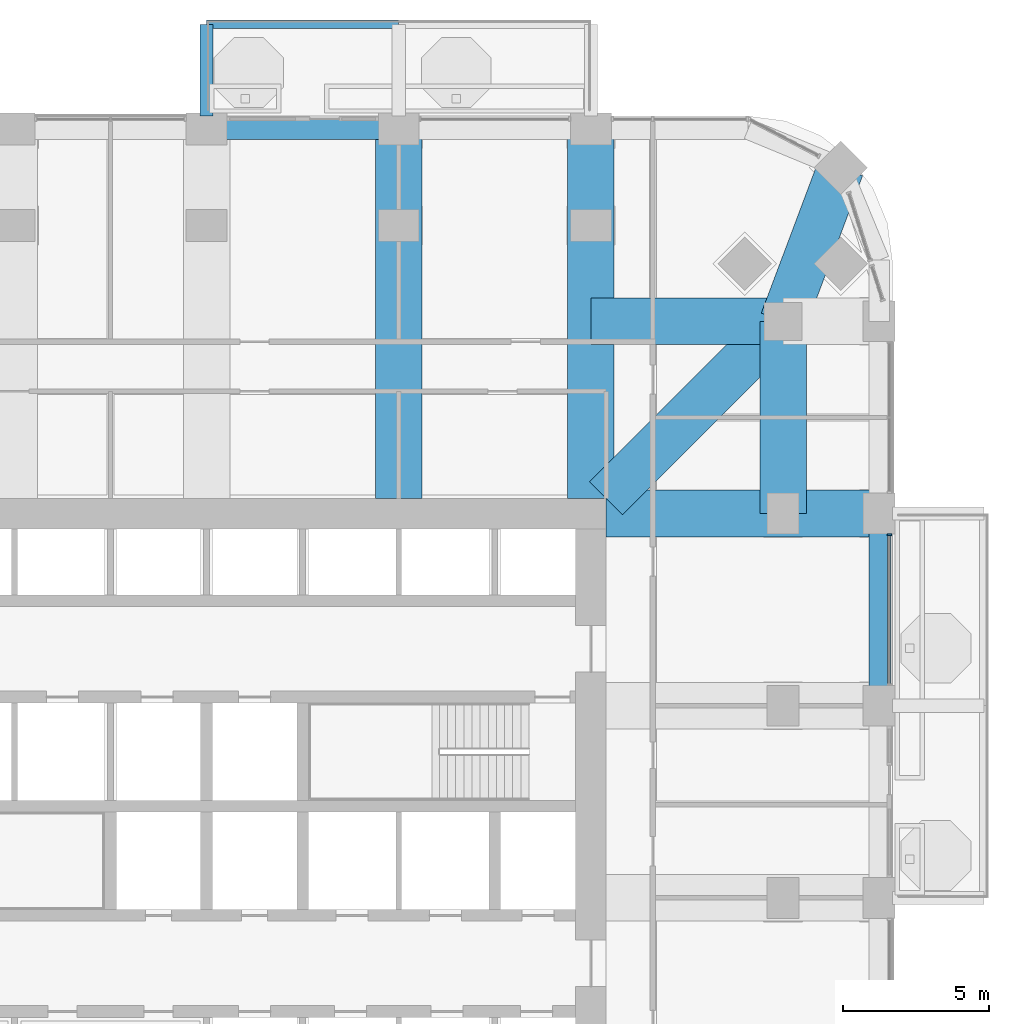
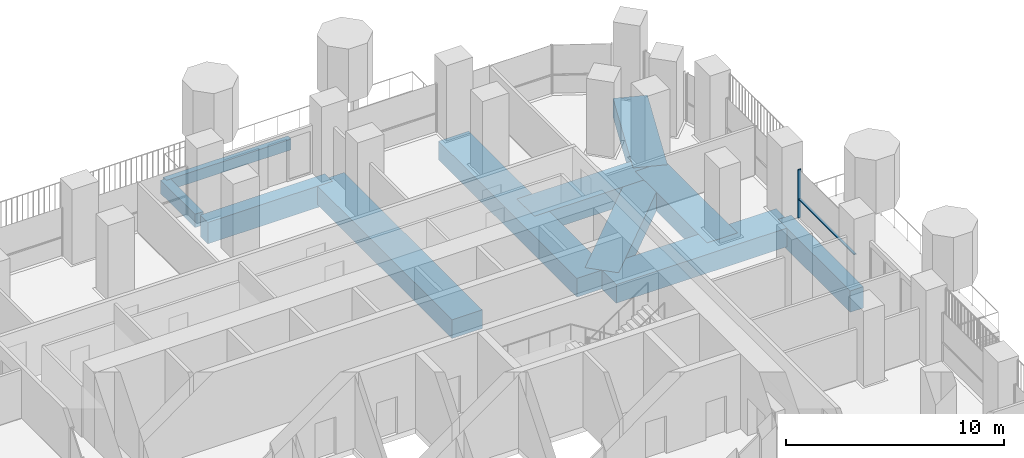
# One storey, part 7 of 23: 11 beams, 2 members, 1 element without a shape of its own.
"""IFC4 building model written with IfcOpenShell, lengths in metres."""

from ifc_helpers import new_model, si_unit, direction, frame, origin, origin_2d, place, context, subcontext, project, spatial, rectangle, extrude, material, material_profile, profile_set, type_object, element, aggregate, save


model = new_model("IFC4")

# Units and contexts
model_context = context("Model", 3, precision=1e-05, world=origin(), true_north=direction((0.0, 1.0)))
body_context = subcontext(model_context, "Body", "Model", "MODEL_VIEW")
ifc_project = project(units=[si_unit("LENGTHUNIT", "METRE"), si_unit("AREAUNIT", "SQUARE_METRE"), si_unit("VOLUMEUNIT", "CUBIC_METRE"), si_unit("PLANEANGLEUNIT", "RADIAN"), si_unit("MASSUNIT", "GRAM", prefix="KILO")], contexts=[model_context])

# Site, building, storey
site_placement = place(None, origin())
site = spatial("IfcSite", under=ifc_project, at=site_placement, CompositionType="ELEMENT")
building_placement = place(site_placement, origin())
building = spatial("IfcBuilding", under=site, at=building_placement, Name="Cobogo Forest Laboratory Tower", CompositionType="ELEMENT")
storey_placement = place(building_placement, frame((0.0, 0.0, 128.39990234375)))
storey = spatial("IfcBuildingStorey", under=building, at=storey_placement, Name="L29", CompositionType="ELEMENT", Elevation=128.39990234375)

# Beams
ifc_material_1 = material(Name="Concrete HA-40 (C40/50)", Category="concrete")
ifc_material_profile_1 = material_profile(ifc_material_1, rectangle(XDim=0.449951171875, YDim=0.75, at=origin_2d()), Name="RC 450x750")
ifc_profile_set_1 = profile_set([ifc_material_profile_1], Name="Concrete HA-40 (C40/50)")
beam_type_1 = type_object("IfcBeamType", Name="Balcony cantilever beam 450x750", PredefinedType="BEAM", material=ifc_profile_set_1)
beam_1_placement = place(storey_placement, frame((26.39990234375, 46.64990234375, -0.625), z_axis=(0.0, 1.0, 0.0), x_axis=(-1.0, 0.0, 0.0)))
element("IfcBeam", 1, at=beam_1_placement, inside=storey, type_object=beam_type_1, Name="CB1 BAL-N1-C1 L29", PredefinedType="BEAM", context=body_context, shape_type="SweptSolid", body=[
    extrude(rectangle(XDim=0.449951171875, YDim=0.75, at=origin_2d()), origin(), (0.0, 0.0, 1.0), 3.150146484375),
])
ifc_material_profile_2 = material_profile(ifc_material_1, rectangle(XDim=0.300048828125, YDim=0.60009765625, at=origin_2d()), Name="RC 300x600")
ifc_profile_set_2 = profile_set([ifc_material_profile_2], Name="Concrete HA-40 (C40/50)")
beam_type_2 = type_object("IfcBeamType", Name="Balcony edge beam 300x600", PredefinedType="BEAM", material=ifc_profile_set_2)
beam_2_placement = place(storey_placement, frame((26.39990234375, 49.800048828125, -0.5498046875), z_axis=(1.0, 0.0, 0.0), x_axis=(0.0, 1.0, 0.0)))
element("IfcBeam", 2, at=beam_2_placement, inside=storey, type_object=beam_type_2, Name="BB1 BAL-N1-T1 L29", PredefinedType="BEAM", context=body_context, shape_type="SweptSolid", body=[
    extrude(rectangle(XDim=0.300048828125, YDim=0.60009765625, at=origin_2d()), origin(), (0.0, 0.0, 1.0), 6.60009765625),
])
ifc_material_2 = material(Name="Concrete HA-50 (C50/60)", Category="concrete")
ifc_material_profile_3 = material_profile(ifc_material_2, rectangle(XDim=1.60009765625, YDim=1.050048828125, at=origin_2d()), Name="RC 1600x1050")
ifc_profile_set_3 = profile_set([ifc_material_profile_3], Name="Concrete HA-50 (C50/60)")
beam_type_3 = type_object("IfcBeamType", Name="Laboratory floor wide beam 1600x1050", PredefinedType="BEAM", material=ifc_profile_set_3)
for number, where, z_axis, x_axis, name in (
    (3, (33.0, 33.52490234375, -0.824951171875), (0.0, 1.0, 0.0), (-1.0, 0.0, 0.0), "RB8 R-6-N L29"),
    (4, (39.60009765625, 33.52490234375, -0.824951171875), (0.0, 1.0, 0.0), (-1.0, 0.0, 0.0), "RB8 R-7-N L29"),
):
    element("IfcBeam", number, at=place(storey_placement, frame(where, z_axis=z_axis, x_axis=x_axis)), inside=storey, type_object=beam_type_3, Name=name, PredefinedType="BEAM", context=body_context, shape_type="SweptSolid", body=[
        extrude(rectangle(XDim=1.60009765625, YDim=1.050048828125, at=origin_2d()), origin(), (0.0, 0.0, 1.0), 12.675048828125),
    ])
beam_3_placement = place(storey_placement, frame((40.125, 33.0, -0.824951171875), z_axis=(1.0, 0.0, 0.0), x_axis=(0.0, 1.0, 0.0)))
element("IfcBeam", 5, at=beam_3_placement, inside=storey, type_object=beam_type_3, Name="RB8 R-F-E L29", PredefinedType="BEAM", context=body_context, shape_type="SweptSolid", body=[
    extrude(rectangle(XDim=1.60009765625, YDim=1.050048828125, at=origin_2d()), origin(), (0.0, 0.0, 1.0), 9.375),
])
beam_4_placement = place(storey_placement, frame((46.199951171875, 39.60009765625, -0.824951171875), z_axis=(0.0, -1.0, 0.0), x_axis=(1.0, 0.0, 0.0)))
element("IfcBeam", 6, at=beam_4_placement, inside=storey, type_object=beam_type_3, Name="RB8 G-NE-XC L29", PredefinedType="BEAM", context=body_context, shape_type="SweptSolid", body=[
    extrude(rectangle(XDim=1.60009765625, YDim=1.050048828125, at=origin_2d()), origin(), (0.0, 0.0, 1.0), 6.60009765625),
])
beam_5_placement = place(storey_placement, frame((46.199951171875, 39.60009765625, -0.824951171875), z_axis=(-1.0, 0.0, 0.0), x_axis=(0.0, -1.0, 0.0)))
element("IfcBeam", 7, at=beam_5_placement, inside=storey, type_object=beam_type_3, Name="RB8 G-NE-YC L29", PredefinedType="BEAM", context=body_context, shape_type="SweptSolid", body=[
    extrude(rectangle(XDim=1.60009765625, YDim=1.050048828125, at=origin_2d()), origin(), (0.0, 0.0, 1.0), 6.599853515625),
])
beam_6_placement = place(storey_placement, frame((48.181884765625, 44.882080078125, -0.824951171875), z_axis=(-0.351308391925, -0.936259800356, 0.0), x_axis=(0.936259800356, -0.351308391925, 0.0)))
element("IfcBeam", 8, at=beam_6_placement, inside=storey, type_object=beam_type_3, Name="RB8 G-NE-D1 L29", PredefinedType="BEAM", context=body_context, shape_type="SweptSolid", body=[
    extrude(rectangle(XDim=1.60009765625, YDim=1.050048828125, at=origin_2d()), origin(), (0.0, 0.0, 1.0), 5.6416015625),
])
beam_7_placement = place(storey_placement, frame((46.199951171875, 39.60009765625, -0.824951171875), z_axis=(-0.707092572697, -0.70712098939, 0.0), x_axis=(0.70712098939, -0.707092572697, 0.0)))
element("IfcBeam", 9, at=beam_7_placement, inside=storey, type_object=beam_type_3, Name="RB8 G-NE-D2 L29", PredefinedType="BEAM", context=body_context, shape_type="SweptSolid", body=[
    extrude(rectangle(XDim=1.60009765625, YDim=1.050048828125, at=origin_2d()), origin(), (0.0, 0.0, 1.0), 8.591552734375),
])

# Curtain wall, member
ifc_material_3 = material(Name="Aluminium curtain wall", Category="aluminium")
curtain_wall_type = type_object("IfcCurtainWallType", Name="CW-1 unitised curtain wall, clear glazing, laboratory floors zones A and B", PredefinedType="USERDEFINED", material=ifc_material_3)
curtain_wall_placement = place(storey_placement, origin())
curtain_wall = element("IfcCurtainWall", 10, at=curtain_wall_placement, inside=storey, type_object=curtain_wall_type, Name="Curtain wall 13 L29", ObjectType="UNITISED CURTAIN WALL", PredefinedType="USERDEFINED")
ifc_material_4 = material(Name="Aluminium mullion", Category="aluminium")
ifc_material_profile_4 = material_profile(ifc_material_4, rectangle(XDim=0.06005859375, YDim=0.159912109375, at=origin_2d()), Name="AL 60x160")
ifc_profile_set_4 = profile_set([ifc_material_profile_4], Name="Aluminium mullion")
member_type_1 = type_object("IfcMemberType", Name="MU-1 aluminium mullion 60x160", PredefinedType="MULLION", material=ifc_profile_set_4)
member_1_placement = place(storey_placement, frame((49.85009765625, 32.27001953125, 0.0), z_axis=(0.0, 0.0, 1.0), x_axis=(0.0, 1.0, 0.0)))
member_1 = element("IfcMember", 11, at=member_1_placement, type_object=member_type_1, Name="CW-1 mullion 2", PredefinedType="MULLION", context=body_context, shape_type="SweptSolid", body=[
    extrude(rectangle(XDim=0.06005859375, YDim=0.159912109375, at=origin_2d()), origin(), (0.0, 0.0, 1.0), 2.7001953125),
])

# Beams
ifc_material_profile_5 = material_profile(ifc_material_1, rectangle(XDim=0.699951171875, YDim=1.199951171875, at=origin_2d()), Name="RC 700x1200")
ifc_profile_set_5 = profile_set([ifc_material_profile_5], Name="Concrete HA-40 (C40/50)")
beam_type_4 = type_object("IfcBeamType", Name="Perimeter edge beam 700x1200", PredefinedType="BEAM", material=ifc_profile_set_5)
for number, where, z_axis, x_axis, name in (
    (12, (49.5, 26.39990234375, -0.89990234375), (0.0, 1.0, 0.0), (-1.0, 0.0, 0.0), "EB1 E-E4 L29"),
    (13, (26.39990234375, 46.199951171875, -0.89990234375), (1.0, 0.0, 0.0), (0.0, 1.0, 0.0), "EB1 E-N3 L29"),
):
    element("IfcBeam", number, at=place(storey_placement, frame(where, z_axis=z_axis, x_axis=x_axis)), inside=storey, type_object=beam_type_4, Name=name, PredefinedType="BEAM", context=body_context, shape_type="SweptSolid", body=[
        extrude(rectangle(XDim=0.699951171875, YDim=1.199951171875, at=origin_2d()), origin(), (0.0, 0.0, 1.0), 6.60009765625),
    ])

# Member
ifc_material_5 = material(Name="Aluminium transom", Category="aluminium")
ifc_material_profile_6 = material_profile(ifc_material_5, rectangle(XDim=0.1201171875, YDim=0.06005859375, at=origin_2d()), Name="AL 60x120")
ifc_profile_set_6 = profile_set([ifc_material_profile_6], Name="Aluminium transom")
member_type_2 = type_object("IfcMemberType", Name="TR-1 aluminium transom 60x120", PredefinedType="USERDEFINED", material=ifc_profile_set_6)
member_2_placement = place(storey_placement, frame((49.85009765625, 27.159912109375, 1.050048828125), z_axis=(0.0, 1.0, 0.0), x_axis=(-1.0, 0.0, 0.0)))
member_2 = element("IfcMember", 14, at=member_2_placement, type_object=member_type_2, Name="CW-1 transom 1.1", ObjectType="TRANSOM", PredefinedType="USERDEFINED", context=body_context, shape_type="SweptSolid", body=[
    extrude(rectangle(XDim=0.1201171875, YDim=0.06005859375, at=origin_2d()), origin(), (0.0, 0.0, 1.0), 5.080078125),
])

aggregate(curtain_wall, [member_1, member_2])

save(model, "model.ifc")
